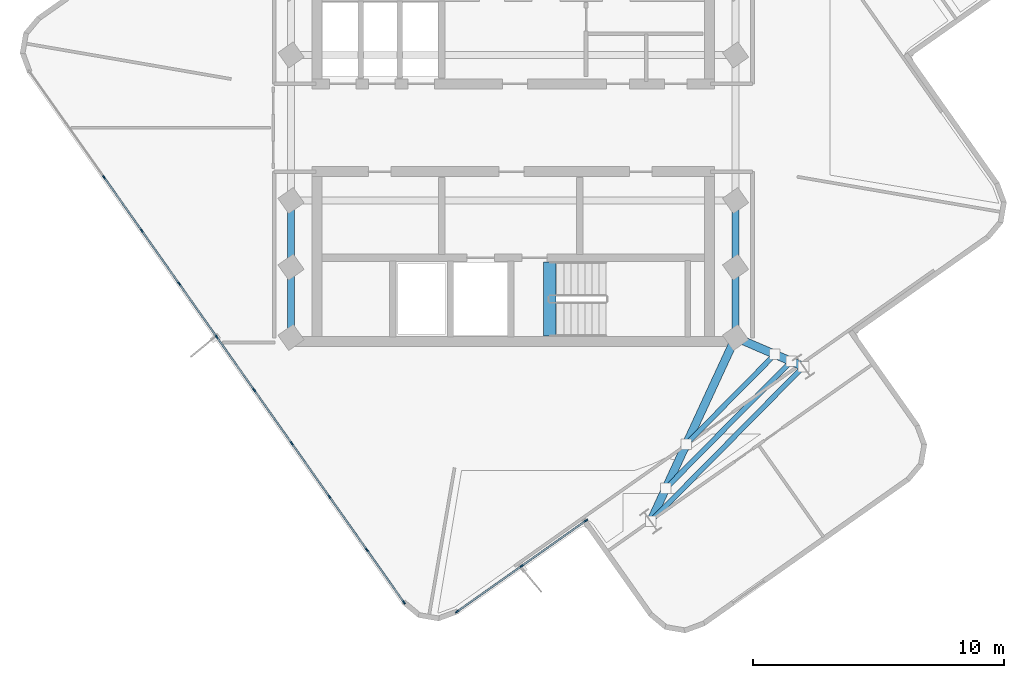
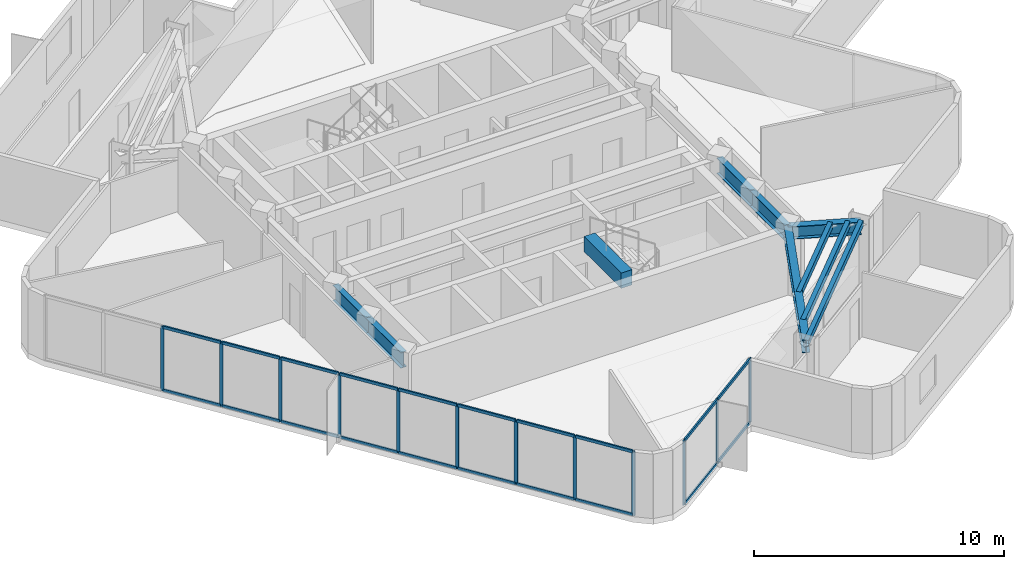
# One storey, part 2 of 9: 32 members, 10 beams, 2 elements without a shape of their own.
"""IFC4 building model written with IfcOpenShell, lengths in metres."""

import ifcopenshell
import ifcopenshell.guid

model = None  # the IFC model being written
_history = None  # IfcOwnerHistory: only IFC2X3 demands one
_inside = {}  # id of a spatial element -> (the spatial element, [elements in it])
_under = {}  # id of a project, library or spatial element -> (it, [spatial elements below it])
_declared = {}  # id of a project -> (the project, [libraries it declares])
_typed = {}  # id of a type object -> (the type object, [elements of that type])
_made_of = {}  # id of a material, layer set ... -> (it, [elements and type objects made of it])


def new_model(schema):
    """Start an empty IFC model of exactly this schema.

    Asked for "IFC4X3", IfcOpenShell would pick the latest addendum, in which some entities
    have other attributes; the version numbers below select the first issue.
    IFC2X3 requires an IfcOwnerHistory on every rooted entity: one is made here for all.
    """
    global model, _history
    if schema == "IFC4X3":
        model = ifcopenshell.file(schema_version=(4, 3, 0, 0))
    else:
        model = ifcopenshell.file(schema=schema)
    _inside.clear()
    _under.clear()
    _declared.clear()
    _typed.clear()
    _made_of.clear()
    _history = None
    if model.schema == "IFC2X3":
        org = make("IfcOrganization", Name="unknown")
        user = make(
            "IfcPersonAndOrganization",
            ThePerson=make("IfcPerson", FamilyName="unknown"),
            TheOrganization=org,
        )
        app = make(
            "IfcApplication",
            ApplicationDeveloper=org,
            Version="unknown",
            ApplicationFullName="unknown",
            ApplicationIdentifier="unknown",
        )
        _history = make(
            "IfcOwnerHistory",
            OwningUser=user,
            OwningApplication=app,
            ChangeAction="ADDED",
            CreationDate=0,
        )
    return model


def make(cls, **values):
    """One entity of the class cls with the attributes given. An attribute that is None is left unset."""
    return model.create_entity(
        cls, **{name: value for name, value in values.items() if value is not None}
    )


def rooted(cls, **values):
    """An entity with a GlobalId (a new one), such as an element, a storey or a relation."""
    return make(cls, GlobalId=ifcopenshell.guid.new(), OwnerHistory=_history, **values)


def si_unit(unit_type, name, prefix=None):
    """IfcSIUnit, for example si_unit("LENGTHUNIT", "METRE", prefix="MILLI")."""
    return make("IfcSIUnit", UnitType=unit_type, Prefix=prefix, Name=name)


def assignment(units):
    """IfcUnitAssignment: the units of a project."""
    return None if units is None else make("IfcUnitAssignment", Units=units)


def point(xyz):
    """IfcCartesianPoint."""
    return None if xyz is None else make("IfcCartesianPoint", Coordinates=xyz)


def direction(xyz):
    """IfcDirection."""
    return None if xyz is None else make("IfcDirection", DirectionRatios=xyz)


def frame(location, z_axis=None, x_axis=None):
    """IfcAxis2Placement3D, a coordinate frame: its origin and axes. An axis left out is left unset."""
    return make(
        "IfcAxis2Placement3D",
        Location=point(location),
        Axis=direction(z_axis),
        RefDirection=direction(x_axis),
    )


def frame_2d(location, x_axis=None):
    """IfcAxis2Placement2D, a coordinate frame in the plane: its origin and x axis."""
    return make(
        "IfcAxis2Placement2D", Location=point(location), RefDirection=direction(x_axis)
    )


def origin():
    """The frame at (0, 0, 0) with its axes left unset."""
    return frame((0.0, 0.0, 0.0))


def origin_2d():
    """The frame at (0, 0) in the plane with its x axis left unset."""
    return frame_2d((0.0, 0.0))


def place(relative_to, where):
    """IfcLocalPlacement: puts the frame where relative to a parent placement (None: the world)."""
    return make(
        "IfcLocalPlacement", PlacementRelTo=relative_to, RelativePlacement=where
    )


def context(
    kind, dimensions, precision=None, world=None, true_north=None, identifier=None
):
    """IfcGeometricRepresentationContext, for example the 3D "Model" context."""
    return make(
        "IfcGeometricRepresentationContext",
        ContextIdentifier=identifier,
        ContextType=kind,
        CoordinateSpaceDimension=dimensions,
        Precision=precision,
        WorldCoordinateSystem=world,
        TrueNorth=true_north,
    )


def subcontext(parent, identifier, kind, view, scale=None):
    """IfcGeometricRepresentationSubContext, for example "Body" below "Model"."""
    return make(
        "IfcGeometricRepresentationSubContext",
        ContextIdentifier=identifier,
        ContextType=kind,
        ParentContext=parent,
        TargetScale=scale,
        TargetView=view,
    )


def project(units=None, contexts=None):
    """IfcProject with its units and contexts."""
    return rooted(
        "IfcProject",
        Name="project",
        RepresentationContexts=contexts,
        UnitsInContext=assignment(units),
    )


def spatial(cls, under=None, at=None, **own):
    """A site, building, storey or space (cls), placed at a placement, below another one or the project."""
    s = rooted(cls, ObjectPlacement=at, **own)
    if under is not None:
        _under.setdefault(under.id(), (under, []))[1].append(s)
    return s


def profile(cls, at=None, kind="AREA", **sizes):
    """A parametric profile (cls). Its sizes go by their IFC names, for example OverallWidth=200.0."""
    return make(cls, ProfileType=kind, Position=at, **sizes)


def rectangle(**sizes):
    """IfcRectangleProfileDef."""
    return profile("IfcRectangleProfileDef", **sizes)


def hollow_rectangle(**sizes):
    """IfcRectangleHollowProfileDef."""
    return profile("IfcRectangleHollowProfileDef", **sizes)


def i_section(**sizes):
    """IfcIShapeProfileDef."""
    return profile("IfcIShapeProfileDef", **sizes)


def extrude(swept, where, along, depth):
    """IfcExtrudedAreaSolid: the profile swept, set in the frame where, extruded along a direction by depth."""
    return make(
        "IfcExtrudedAreaSolid",
        SweptArea=swept,
        Position=where,
        ExtrudedDirection=direction(along),
        Depth=depth,
    )


def shape(context_of_items, identifier, shape_type, items):
    """IfcShapeRepresentation: the items that make up one representation, for example the "Body"."""
    return make(
        "IfcShapeRepresentation",
        ContextOfItems=context_of_items,
        RepresentationIdentifier=identifier,
        RepresentationType=shape_type,
        Items=items,
    )


def material(Name=None, Category=None):
    """IfcMaterial."""
    return make("IfcMaterial", Name=Name, Category=Category)


def layer(
    of_material, thickness, ventilated=None, Name=None, Category=None, Priority=None
):
    """IfcMaterialLayer: one layer of a wall or slab, of a material (None: an air gap)."""
    return make(
        "IfcMaterialLayer",
        Material=of_material,
        LayerThickness=thickness,
        IsVentilated=ventilated,
        Name=Name,
        Category=Category,
        Priority=Priority,
    )


def layer_set(layers, Name=None):
    """IfcMaterialLayerSet."""
    return make("IfcMaterialLayerSet", MaterialLayers=layers, LayerSetName=Name)


def material_profile(
    of_material, cross_section, Name=None, Category=None, Priority=None
):
    """IfcMaterialProfile: a cross section and its material."""
    return make(
        "IfcMaterialProfile",
        Name=Name,
        Material=of_material,
        Profile=cross_section,
        Priority=Priority,
        Category=Category,
    )


def profile_set(profiles, Name=None, composite=None):
    """IfcMaterialProfileSet."""
    return make(
        "IfcMaterialProfileSet",
        Name=Name,
        MaterialProfiles=profiles,
        CompositeProfile=composite,
    )


def made_of(thing, what):
    """Note that an element or type object is made of a material, layer set ...; save() writes the relation."""
    if what is not None:
        _made_of.setdefault(what.id(), (what, []))[1].append(thing)
    return thing


def type_object(cls, material=None, **own):
    """A type object (cls), such as IfcWallType, which elements share."""
    return made_of(rooted(cls, **own), material)


def element(
    cls,
    number,
    at=None,
    inside=None,
    cuts=None,
    type_object=None,
    material=None,
    context=None,
    identifier="Body",
    shape_type=None,
    held_by="IfcProductDefinitionShape",
    body=None,
    shapes=None,
    **own,
):
    """One element of the class cls, such as IfcWall. Its Tag is "e" and its number.

    at: its placement. inside: the storey or other place that contains it. cuts: it is an
    opening in that element (IfcRelVoidsElement). A single representation is given by context,
    identifier, shape_type and body (its items); several are given by shapes. held_by: the class
    of the entity that holds the representations. save() writes the other relations.
    """
    e = rooted(cls, Tag="e%d" % number, ObjectPlacement=at, **own)
    if body is not None:
        shapes = [shape(context, identifier, shape_type, body)]
    if shapes is not None:
        e.Representation = make(held_by, Representations=shapes)
    if inside is not None:
        _inside.setdefault(inside.id(), (inside, []))[1].append(e)
    if cuts is not None:
        rooted(
            "IfcRelVoidsElement", RelatingBuildingElement=cuts, RelatedOpeningElement=e
        )
    if type_object is not None:
        _typed.setdefault(type_object.id(), (type_object, []))[1].append(e)
    return made_of(e, material)


def aggregate(whole, parts):
    """IfcRelAggregates: a whole, such as a stair, and the parts it consists of."""
    return rooted("IfcRelAggregates", RelatingObject=whole, RelatedObjects=parts)


def save(model, path):
    """Write the relations noted so far, then the file.

    IfcRelAggregates (storeys below a building ...), IfcRelContainedInSpatialStructure (elements
    in a storey), IfcRelDefinesByType, IfcRelAssociatesMaterial and IfcRelDeclares: one each for
    every whole, place, type object, material and project.
    """
    for whole, parts in _under.values():
        aggregate(whole, parts)
    for where, things in _inside.values():
        rooted(
            "IfcRelContainedInSpatialStructure",
            RelatedElements=things,
            RelatingStructure=where,
        )
    for kind, things in _typed.values():
        rooted("IfcRelDefinesByType", RelatedObjects=things, RelatingType=kind)
    for what, things in _made_of.values():
        rooted("IfcRelAssociatesMaterial", RelatedObjects=things, RelatingMaterial=what)
    for by, libraries in _declared.values():
        rooted("IfcRelDeclares", RelatingContext=by, RelatedDefinitions=libraries)
    model.write(path)


model = new_model("IFC4")

# Units and contexts
model_context = context("Model", 3, precision=1e-05, world=origin(), true_north=direction((0.0, 1.0)))
body_context = subcontext(model_context, "Body", "Model", "MODEL_VIEW")
ifc_project = project(units=[si_unit("LENGTHUNIT", "METRE"), si_unit("AREAUNIT", "SQUARE_METRE"), si_unit("VOLUMEUNIT", "CUBIC_METRE"), si_unit("PLANEANGLEUNIT", "RADIAN"), si_unit("MASSUNIT", "GRAM", prefix="KILO")], contexts=[model_context])

# Site, building, storey
site_placement = place(None, origin())
site = spatial("IfcSite", under=ifc_project, at=site_placement, CompositionType="ELEMENT")
building_placement = place(site_placement, origin())
building = spatial("IfcBuilding", under=site, at=building_placement, Name="Solmarez Civic Tower", CompositionType="ELEMENT")
storey_placement = place(building_placement, frame((0.0, 0.0, 222.300048828125)))
storey = spatial("IfcBuildingStorey", under=building, at=storey_placement, Name="L59", CompositionType="ELEMENT", Elevation=222.300048828125)

# Beams
ifc_material_1 = material(Name="Steel S355", Category="steel")
ifc_material_profile_1 = material_profile(ifc_material_1, hollow_rectangle(XDim=0.199951171875, YDim=0.300048828125, WallThickness=0.011962890625, at=origin_2d()), Name="HSS300X200X12")
ifc_profile_set_1 = profile_set([ifc_material_profile_1], Name="Steel S355")
beam_type_1 = type_object("IfcBeamType", Name="BM-JS-HSS300X200", PredefinedType="JOIST", material=ifc_profile_set_1)
beam_1_placement = place(storey_placement, frame((5.468017578125, -15.6708984375, 2.989990234375), z_axis=(0.702766092364, 0.711420986072, 0.0), x_axis=(-0.711420986072, 0.702766092364, 0.0)))
element("IfcBeam", 1, at=beam_1_placement, inside=storey, type_object=beam_type_1, Name="L59 Secondary Floor Joist BM-L59-SA-T1", PredefinedType="JOIST", context=body_context, shape_type="SweptSolid", body=[
    extrude(hollow_rectangle(XDim=0.199951171875, YDim=0.300048828125, WallThickness=0.011962890625, at=origin_2d()), origin(), (0.0, 0.0, 1.0), 8.659912109375),
])
beam_2_placement = place(storey_placement, frame((6.887939453125, -12.595947265625, 2.989990234375), z_axis=(0.702816380081, 0.711371306625, 0.0), x_axis=(-0.711371306625, 0.702816380081, 0.0)))
element("IfcBeam", 2, at=beam_2_placement, inside=storey, type_object=beam_type_1, Name="L59 Secondary Floor Joist JS-L59-SA-M11", PredefinedType="JOIST", context=body_context, shape_type="SweptSolid", body=[
    extrude(hollow_rectangle(XDim=0.199951171875, YDim=0.300048828125, WallThickness=0.011962890625, at=origin_2d()), origin(), (0.0, 0.0, 1.0), 5.022705078125),
])
beam_3_placement = place(storey_placement, frame((6.076904296875, -14.35302734375, 2.989990234375), z_axis=(0.702726827997, 0.711459770622, 0.0), x_axis=(-0.711459770622, 0.702726827997, 0.0)))
element("IfcBeam", 3, at=beam_3_placement, inside=storey, type_object=beam_type_1, Name="L59 Secondary Floor Joist JS-L59-SA-M12", PredefinedType="JOIST", context=body_context, shape_type="SweptSolid", body=[
    extrude(hollow_rectangle(XDim=0.199951171875, YDim=0.300048828125, WallThickness=0.011962890625, at=origin_2d()), origin(), (0.0, 0.0, 1.0), 7.100830078125),
])
ifc_material_2 = material(Name="Concrete C50/60", Category="concrete")
ifc_material_profile_2 = material_profile(ifc_material_2, rectangle(XDim=0.5, YDim=0.75, at=origin_2d()), Name="RC500X750")
ifc_profile_set_2 = profile_set([ifc_material_profile_2], Name="Concrete C50/60")
beam_type_2 = type_object("IfcBeamType", Name="BM-PR-RC500X750", PredefinedType="BEAM", material=ifc_profile_set_2)
beam_4_placement = place(storey_placement, frame((1.449951171875, -8.300048828125, 3.052978515625), z_axis=(0.0, 1.0, 0.0), x_axis=(-1.0, 0.0, 0.0)))
element("IfcBeam", 4, at=beam_4_placement, inside=storey, type_object=beam_type_2, Name="L59 South Stair Threshold Beam", PredefinedType="BEAM", context=body_context, shape_type="SweptSolid", body=[
    extrude(rectangle(XDim=0.5, YDim=0.75, at=origin_2d()), origin(), (0.0, 0.0, 1.0), 2.9599609375),
])
ifc_material_profile_3 = material_profile(ifc_material_1, i_section(OverallWidth=0.327880859375, OverallDepth=0.6220703125, WebThickness=0.015380859375, FlangeThickness=0.0244140625, at=origin_2d()), Name="W24X131")
ifc_profile_set_3 = profile_set([ifc_material_profile_3], Name="Steel S355")
beam_type_3 = type_object("IfcBeamType", Name="BM-PR-W24X131", PredefinedType="BEAM", material=ifc_profile_set_3)
beam_5_placement = place(storey_placement, frame((8.85009765625, -8.35009765625, 2.828857421875), z_axis=(-0.419390280967, -0.907806032273, 0.0), x_axis=(0.907806032273, -0.419390280967, 0.0)))
element("IfcBeam", 5, at=beam_5_placement, inside=storey, type_object=beam_type_3, Name="L59 Primary Floor Beam BM-L59-SA-R1A", PredefinedType="BEAM", context=body_context, shape_type="SweptSolid", body=[
    extrude(i_section(OverallWidth=0.327880859375, OverallDepth=0.6220703125, WebThickness=0.015380859375, FlangeThickness=0.0244140625, at=origin_2d()), origin(), (0.0, 0.0, 1.0), 8.064208984375),
])
beam_6_placement = place(storey_placement, frame((8.85009765625, -8.35009765625, 2.828857421875), z_axis=(0.919007627325, -0.394239750557, 0.0), x_axis=(0.394239750557, 0.919007627325, 0.0)))
element("IfcBeam", 6, at=beam_6_placement, inside=storey, type_object=beam_type_3, Name="L59 Primary Floor Beam BM-L59-SA-R1B", PredefinedType="BEAM", context=body_context, shape_type="SweptSolid", body=[
    extrude(i_section(OverallWidth=0.327880859375, OverallDepth=0.6220703125, WebThickness=0.015380859375, FlangeThickness=0.0244140625, at=origin_2d()), origin(), (0.0, 0.0, 1.0), 2.942138671875),
])
ifc_material_profile_4 = material_profile(ifc_material_1, i_section(OverallWidth=0.26708984375, OverallDepth=0.761962890625, WebThickness=0.014404296875, FlangeThickness=0.021484375, at=origin_2d()), Name="W30X116")
ifc_profile_set_4 = profile_set([ifc_material_profile_4], Name="Steel S355")
beam_type_4 = type_object("IfcBeamType", Name="BM-PR-W30X116", PredefinedType="BEAM", material=ifc_profile_set_4)
beam_7_placement = place(storey_placement, frame((-8.85009765625, -8.35009765625, 2.759033203125), z_axis=(0.0, 1.0, 0.0), x_axis=(-1.0, 0.0, 0.0)))
element("IfcBeam", 7, at=beam_7_placement, inside=storey, type_object=beam_type_4, Name="L59 Primary Floor Beam BM-L59-HC12-HC1", PredefinedType="BEAM", context=body_context, shape_type="SweptSolid", body=[
    extrude(i_section(OverallWidth=0.26708984375, OverallDepth=0.761962890625, WebThickness=0.014404296875, FlangeThickness=0.021484375, at=origin_2d()), origin(), (0.0, 0.0, 1.0), 2.800048828125),
])
beam_8_placement = place(storey_placement, frame((-8.85009765625, -5.550048828125, 2.759033203125), z_axis=(0.0, 1.0, 0.0), x_axis=(-1.0, 0.0, 0.0)))
element("IfcBeam", 8, at=beam_8_placement, inside=storey, type_object=beam_type_4, Name="L59 Primary Floor Beam BM-L59-HC1-HC2", PredefinedType="BEAM", context=body_context, shape_type="SweptSolid", body=[
    extrude(i_section(OverallWidth=0.26708984375, OverallDepth=0.761962890625, WebThickness=0.014404296875, FlangeThickness=0.021484375, at=origin_2d()), origin(), (0.0, 0.0, 1.0), 2.650146484375),
])
beam_9_placement = place(storey_placement, frame((8.85009765625, -8.35009765625, 2.759033203125), z_axis=(0.0, 1.0, 0.0), x_axis=(-1.0, 0.0, 0.0)))
element("IfcBeam", 9, at=beam_9_placement, inside=storey, type_object=beam_type_4, Name="L59 Primary Floor Beam BM-L59-HC10-HC5", PredefinedType="BEAM", context=body_context, shape_type="SweptSolid", body=[
    extrude(i_section(OverallWidth=0.26708984375, OverallDepth=0.761962890625, WebThickness=0.014404296875, FlangeThickness=0.021484375, at=origin_2d()), origin(), (0.0, 0.0, 1.0), 2.800048828125),
])
beam_10_placement = place(storey_placement, frame((8.85009765625, -5.550048828125, 2.759033203125), z_axis=(0.0, 1.0, 0.0), x_axis=(-1.0, 0.0, 0.0)))
element("IfcBeam", 10, at=beam_10_placement, inside=storey, type_object=beam_type_4, Name="L59 Primary Floor Beam BM-L59-HC5-HC6", PredefinedType="BEAM", context=body_context, shape_type="SweptSolid", body=[
    extrude(i_section(OverallWidth=0.26708984375, OverallDepth=0.761962890625, WebThickness=0.014404296875, FlangeThickness=0.021484375, at=origin_2d()), origin(), (0.0, 0.0, 1.0), 2.650146484375),
])

# Curtain wall, members
ifc_material_3 = material(Name="Bronze Anodised Aluminium EN AW-6063 T6", Category="aluminium")
ifc_layer = layer(ifc_material_3, 0.1650390625)
ifc_layer_set = layer_set([ifc_layer], Name="Bronze Anodised Aluminium EN AW-6063 T6")
curtain_wall_type = type_object("IfcCurtainWallType", Name="CW-SYS-4", PredefinedType="NOTDEFINED", material=ifc_layer_set)
curtain_wall_1_placement = place(storey_placement, origin())
curtain_wall_1 = element("IfcCurtainWall", 11, at=curtain_wall_1_placement, inside=storey, type_object=curtain_wall_type, Name="L59 Stick-Built Curtain Wall 1", PredefinedType="NOTDEFINED")
ifc_material_profile_5 = material_profile(ifc_material_3, rectangle(XDim=0.06005859375, YDim=0.14990234375, at=origin_2d()), Name="CWM-60X150")
ifc_profile_set_5 = profile_set([ifc_material_profile_5], Name="Bronze Anodised Aluminium EN AW-6063 T6")
member_type_1 = type_object("IfcMemberType", Name="CWM-TYPE-4", PredefinedType="MULLION", material=ifc_profile_set_5)
member_1_placement = place(storey_placement, frame((2.89453125, -15.640380859375, 0.0), z_axis=(0.0, 0.0, 1.0), x_axis=(0.57655936012, -0.817055263895, 0.0)))
member_1 = element("IfcMember", 12, at=member_1_placement, type_object=member_type_1, Name="CWS4 mullion 1", PredefinedType="MULLION", context=body_context, shape_type="SweptSolid", body=[
    extrude(rectangle(XDim=0.06005859375, YDim=0.14990234375, at=origin_2d()), origin(), (0.0, 0.0, 1.0), 3.139892578125),
])
member_2_placement = place(storey_placement, frame((0.32861328125, -17.450927734375, 0.0), z_axis=(0.0, 0.0, 1.0), x_axis=(0.57655936012, -0.817055263895, 0.0)))
member_2 = element("IfcMember", 13, at=member_2_placement, type_object=member_type_1, Name="CWS4 mullion 2", PredefinedType="MULLION", context=body_context, shape_type="SweptSolid", body=[
    extrude(rectangle(XDim=0.06005859375, YDim=0.14990234375, at=origin_2d()), origin(), (0.0, 0.0, 1.0), 3.139892578125),
])
member_3_placement = place(storey_placement, frame((-2.237548828125, -19.26171875, 0.0), z_axis=(0.0, 0.0, 1.0), x_axis=(0.57655936012, -0.817055263895, 0.0)))
member_3 = element("IfcMember", 14, at=member_3_placement, type_object=member_type_1, Name="CWS4 mullion 3", PredefinedType="MULLION", context=body_context, shape_type="SweptSolid", body=[
    extrude(rectangle(XDim=0.06005859375, YDim=0.14990234375, at=origin_2d()), origin(), (0.0, 0.0, 1.0), 3.139892578125),
])

curtain_wall_2_placement = place(storey_placement, origin())
curtain_wall_2 = element("IfcCurtainWall", 15, at=curtain_wall_2_placement, inside=storey, type_object=curtain_wall_type, Name="L59 Stick-Built Curtain Wall 2", PredefinedType="NOTDEFINED")
member_4_placement = place(storey_placement, frame((-4.354248046875, -18.896484375, 0.0), z_axis=(0.0, 0.0, 1.0), x_axis=(-0.817162391141, -0.576407517737, 0.0)))
member_4 = element("IfcMember", 16, at=member_4_placement, type_object=member_type_1, Name="CWS4 mullion 1", PredefinedType="MULLION", context=body_context, shape_type="SweptSolid", body=[
    extrude(rectangle(XDim=0.06005859375, YDim=0.14990234375, at=origin_2d()), origin(), (0.0, 0.0, 1.0), 3.139892578125),
])
member_5_placement = place(storey_placement, frame((-5.831298828125, -16.802734375, 0.0), z_axis=(0.0, 0.0, 1.0), x_axis=(-0.817162391141, -0.576407517737, 0.0)))
member_5 = element("IfcMember", 17, at=member_5_placement, type_object=member_type_1, Name="CWS4 mullion 2", PredefinedType="MULLION", context=body_context, shape_type="SweptSolid", body=[
    extrude(rectangle(XDim=0.06005859375, YDim=0.14990234375, at=origin_2d()), origin(), (0.0, 0.0, 1.0), 3.139892578125),
])
member_6_placement = place(storey_placement, frame((-7.325439453125, -14.684326171875, 0.0), z_axis=(0.0, 0.0, 1.0), x_axis=(-0.817162391141, -0.576407517737, 0.0)))
member_6 = element("IfcMember", 18, at=member_6_placement, type_object=member_type_1, Name="CWS4 mullion 3", PredefinedType="MULLION", context=body_context, shape_type="SweptSolid", body=[
    extrude(rectangle(XDim=0.06005859375, YDim=0.14990234375, at=origin_2d()), origin(), (0.0, 0.0, 1.0), 3.139892578125),
])
member_7_placement = place(storey_placement, frame((-8.819580078125, -12.566162109375, 0.0), z_axis=(0.0, 0.0, 1.0), x_axis=(-0.817162391141, -0.576407517737, 0.0)))
member_7 = element("IfcMember", 19, at=member_7_placement, type_object=member_type_1, Name="CWS4 mullion 4", PredefinedType="MULLION", context=body_context, shape_type="SweptSolid", body=[
    extrude(rectangle(XDim=0.06005859375, YDim=0.14990234375, at=origin_2d()), origin(), (0.0, 0.0, 1.0), 3.139892578125),
])
member_8_placement = place(storey_placement, frame((-10.313720703125, -10.44775390625, 0.0), z_axis=(0.0, 0.0, 1.0), x_axis=(-0.817162391141, -0.576407517737, 0.0)))
member_8 = element("IfcMember", 20, at=member_8_placement, type_object=member_type_1, Name="CWS4 mullion 5", PredefinedType="MULLION", context=body_context, shape_type="SweptSolid", body=[
    extrude(rectangle(XDim=0.06005859375, YDim=0.14990234375, at=origin_2d()), origin(), (0.0, 0.0, 1.0), 3.139892578125),
])
member_9_placement = place(storey_placement, frame((-11.80810546875, -8.32958984375, 0.0), z_axis=(0.0, 0.0, 1.0), x_axis=(-0.817162391141, -0.576407517737, 0.0)))
member_9 = element("IfcMember", 21, at=member_9_placement, type_object=member_type_1, Name="CWS4 mullion 6", PredefinedType="MULLION", context=body_context, shape_type="SweptSolid", body=[
    extrude(rectangle(XDim=0.06005859375, YDim=0.14990234375, at=origin_2d()), origin(), (0.0, 0.0, 1.0), 3.139892578125),
])
member_10_placement = place(storey_placement, frame((-13.30224609375, -6.211181640625, 0.0), z_axis=(0.0, 0.0, 1.0), x_axis=(-0.817162391141, -0.576407517737, 0.0)))
member_10 = element("IfcMember", 22, at=member_10_placement, type_object=member_type_1, Name="CWS4 mullion 7", PredefinedType="MULLION", context=body_context, shape_type="SweptSolid", body=[
    extrude(rectangle(XDim=0.06005859375, YDim=0.14990234375, at=origin_2d()), origin(), (0.0, 0.0, 1.0), 3.139892578125),
])
member_11_placement = place(storey_placement, frame((-14.79638671875, -4.093017578125, 0.0), z_axis=(0.0, 0.0, 1.0), x_axis=(-0.817162391141, -0.576407517737, 0.0)))
member_11 = element("IfcMember", 23, at=member_11_placement, type_object=member_type_1, Name="CWS4 mullion 8", PredefinedType="MULLION", context=body_context, shape_type="SweptSolid", body=[
    extrude(rectangle(XDim=0.06005859375, YDim=0.14990234375, at=origin_2d()), origin(), (0.0, 0.0, 1.0), 3.139892578125),
])
member_12_placement = place(storey_placement, frame((-16.29052734375, -1.974609375, 0.0), z_axis=(0.0, 0.0, 1.0), x_axis=(-0.817162391141, -0.576407517737, 0.0)))
member_12 = element("IfcMember", 24, at=member_12_placement, type_object=member_type_1, Name="CWS4 mullion 9", PredefinedType="MULLION", context=body_context, shape_type="SweptSolid", body=[
    extrude(rectangle(XDim=0.06005859375, YDim=0.14990234375, at=origin_2d()), origin(), (0.0, 0.0, 1.0), 3.139892578125),
])

# Member
ifc_material_profile_6 = material_profile(ifc_material_3, rectangle(XDim=0.070068359375, YDim=0.139892578125, at=origin_2d()), Name="CWT-70X140")
ifc_profile_set_6 = profile_set([ifc_material_profile_6], Name="Bronze Anodised Aluminium EN AW-6063 T6")
member_type_2 = type_object("IfcMemberType", Name="CWT-TYPE-1", PredefinedType="USERDEFINED", material=ifc_profile_set_6)
member_13_placement = place(storey_placement, frame((2.869873046875, -15.65771484375, 0.034912109375), z_axis=(-0.817077675712, -0.576527598518, 0.0), x_axis=(0.576527598518, -0.817077675712, 0.0)))
member_13 = element("IfcMember", 25, at=member_13_placement, type_object=member_type_2, Name="CWS4 transom 1.1", ObjectType="TRANSOM", PredefinedType="USERDEFINED", context=body_context, shape_type="SweptSolid", body=[
    extrude(rectangle(XDim=0.070068359375, YDim=0.139892578125, at=origin_2d()), origin(), (0.0, 0.0, 1.0), 3.080322265625),
])

member_14_placement = place(storey_placement, frame((2.869873046875, -15.65771484375, 3.10498046875), z_axis=(-0.817077675712, -0.576527598518, 0.0), x_axis=(0.576527598518, -0.817077675712, 0.0)))
member_14 = element("IfcMember", 26, at=member_14_placement, type_object=member_type_2, Name="CWS4 transom 1.2", ObjectType="TRANSOM", PredefinedType="USERDEFINED", context=body_context, shape_type="SweptSolid", body=[
    extrude(rectangle(XDim=0.070068359375, YDim=0.139892578125, at=origin_2d()), origin(), (0.0, 0.0, 1.0), 3.080322265625),
])

member_15_placement = place(storey_placement, frame((0.303955078125, -17.46826171875, 0.034912109375), z_axis=(-0.817040339493, -0.576580509245, 0.0), x_axis=(0.576580509245, -0.817040339493, 0.0)))
member_15 = element("IfcMember", 27, at=member_15_placement, type_object=member_type_2, Name="CWS4 transom 2.1", ObjectType="TRANSOM", PredefinedType="USERDEFINED", context=body_context, shape_type="SweptSolid", body=[
    extrude(rectangle(XDim=0.070068359375, YDim=0.139892578125, at=origin_2d()), origin(), (0.0, 0.0, 1.0), 3.080322265625),
])

member_16_placement = place(storey_placement, frame((0.303955078125, -17.46826171875, 3.10498046875), z_axis=(-0.817040339493, -0.576580509245, 0.0), x_axis=(0.576580509245, -0.817040339493, 0.0)))
member_16 = element("IfcMember", 28, at=member_16_placement, type_object=member_type_2, Name="CWS4 transom 2.2", ObjectType="TRANSOM", PredefinedType="USERDEFINED", context=body_context, shape_type="SweptSolid", body=[
    extrude(rectangle(XDim=0.070068359375, YDim=0.139892578125, at=origin_2d()), origin(), (0.0, 0.0, 1.0), 3.080322265625),
])

aggregate(curtain_wall_1, [member_1, member_2, member_3, member_13, member_14, member_15, member_16])

member_17_placement = place(storey_placement, frame((-4.37158203125, -18.8720703125, 0.034912109375), z_axis=(-0.576392054346, 0.817173298442, 0.0), x_axis=(-0.817173298442, -0.576392054346, 0.0)))
member_17 = element("IfcMember", 29, at=member_17_placement, type_object=member_type_2, Name="CWS4 transom 1.1", ObjectType="TRANSOM", PredefinedType="USERDEFINED", context=body_context, shape_type="SweptSolid", body=[
    extrude(rectangle(XDim=0.070068359375, YDim=0.139892578125, at=origin_2d()), origin(), (0.0, 0.0, 1.0), 2.50244140625),
])

member_18_placement = place(storey_placement, frame((-4.37158203125, -18.8720703125, 3.10498046875), z_axis=(-0.576392054346, 0.817173298442, 0.0), x_axis=(-0.817173298442, -0.576392054346, 0.0)))
member_18 = element("IfcMember", 30, at=member_18_placement, type_object=member_type_2, Name="CWS4 transom 1.2", ObjectType="TRANSOM", PredefinedType="USERDEFINED", context=body_context, shape_type="SweptSolid", body=[
    extrude(rectangle(XDim=0.070068359375, YDim=0.139892578125, at=origin_2d()), origin(), (0.0, 0.0, 1.0), 2.50244140625),
])

member_19_placement = place(storey_placement, frame((-5.848388671875, -16.778076171875, 0.034912109375), z_axis=(-0.576467411944, 0.817120139861, 0.0), x_axis=(-0.817120139861, -0.576467411944, 0.0)))
member_19 = element("IfcMember", 31, at=member_19_placement, type_object=member_type_2, Name="CWS4 transom 2.1", ObjectType="TRANSOM", PredefinedType="USERDEFINED", context=body_context, shape_type="SweptSolid", body=[
    extrude(rectangle(XDim=0.070068359375, YDim=0.139892578125, at=origin_2d()), origin(), (0.0, 0.0, 1.0), 2.5322265625),
])

member_20_placement = place(storey_placement, frame((-5.848388671875, -16.778076171875, 3.10498046875), z_axis=(-0.576467411944, 0.817120139861, 0.0), x_axis=(-0.817120139861, -0.576467411944, 0.0)))
member_20 = element("IfcMember", 32, at=member_20_placement, type_object=member_type_2, Name="CWS4 transom 2.2", ObjectType="TRANSOM", PredefinedType="USERDEFINED", context=body_context, shape_type="SweptSolid", body=[
    extrude(rectangle(XDim=0.070068359375, YDim=0.139892578125, at=origin_2d()), origin(), (0.0, 0.0, 1.0), 2.5322265625),
])

member_21_placement = place(storey_placement, frame((-7.3427734375, -14.659912109375, 0.034912109375), z_axis=(-0.57635761838, 0.817197586716, 0.0), x_axis=(-0.817197586716, -0.57635761838, 0.0)))
member_21 = element("IfcMember", 33, at=member_21_placement, type_object=member_type_2, Name="CWS4 transom 3.1", ObjectType="TRANSOM", PredefinedType="USERDEFINED", context=body_context, shape_type="SweptSolid", body=[
    extrude(rectangle(XDim=0.070068359375, YDim=0.139892578125, at=origin_2d()), origin(), (0.0, 0.0, 1.0), 2.5322265625),
])

member_22_placement = place(storey_placement, frame((-7.3427734375, -14.659912109375, 3.10498046875), z_axis=(-0.57635761838, 0.817197586716, 0.0), x_axis=(-0.817197586716, -0.57635761838, 0.0)))
member_22 = element("IfcMember", 34, at=member_22_placement, type_object=member_type_2, Name="CWS4 transom 3.2", ObjectType="TRANSOM", PredefinedType="USERDEFINED", context=body_context, shape_type="SweptSolid", body=[
    extrude(rectangle(XDim=0.070068359375, YDim=0.139892578125, at=origin_2d()), origin(), (0.0, 0.0, 1.0), 2.5322265625),
])

member_23_placement = place(storey_placement, frame((-8.8369140625, -12.54150390625, 0.034912109375), z_axis=(-0.576403031459, 0.81716555564, 0.0), x_axis=(-0.81716555564, -0.576403031459, 0.0)))
member_23 = element("IfcMember", 35, at=member_23_placement, type_object=member_type_2, Name="CWS4 transom 4.1", ObjectType="TRANSOM", PredefinedType="USERDEFINED", context=body_context, shape_type="SweptSolid", body=[
    extrude(rectangle(XDim=0.070068359375, YDim=0.139892578125, at=origin_2d()), origin(), (0.0, 0.0, 1.0), 2.531982421875),
])

member_24_placement = place(storey_placement, frame((-8.8369140625, -12.54150390625, 3.10498046875), z_axis=(-0.576403031459, 0.81716555564, 0.0), x_axis=(-0.81716555564, -0.576403031459, 0.0)))
member_24 = element("IfcMember", 36, at=member_24_placement, type_object=member_type_2, Name="CWS4 transom 4.2", ObjectType="TRANSOM", PredefinedType="USERDEFINED", context=body_context, shape_type="SweptSolid", body=[
    extrude(rectangle(XDim=0.070068359375, YDim=0.139892578125, at=origin_2d()), origin(), (0.0, 0.0, 1.0), 2.531982421875),
])

member_25_placement = place(storey_placement, frame((-10.3310546875, -10.42333984375, 0.034912109375), z_axis=(-0.576421998841, 0.817152176313, 0.0), x_axis=(-0.817152176313, -0.576421998841, 0.0)))
member_25 = element("IfcMember", 37, at=member_25_placement, type_object=member_type_2, Name="CWS4 transom 5.1", ObjectType="TRANSOM", PredefinedType="USERDEFINED", context=body_context, shape_type="SweptSolid", body=[
    extrude(rectangle(XDim=0.070068359375, YDim=0.139892578125, at=origin_2d()), origin(), (0.0, 0.0, 1.0), 2.532470703125),
])

member_26_placement = place(storey_placement, frame((-10.3310546875, -10.42333984375, 3.10498046875), z_axis=(-0.576421998841, 0.817152176313, 0.0), x_axis=(-0.817152176313, -0.576421998841, 0.0)))
member_26 = element("IfcMember", 38, at=member_26_placement, type_object=member_type_2, Name="CWS4 transom 5.2", ObjectType="TRANSOM", PredefinedType="USERDEFINED", context=body_context, shape_type="SweptSolid", body=[
    extrude(rectangle(XDim=0.070068359375, YDim=0.139892578125, at=origin_2d()), origin(), (0.0, 0.0, 1.0), 2.532470703125),
])

member_27_placement = place(storey_placement, frame((-11.8251953125, -8.304931640625, 0.034912109375), z_axis=(-0.576421998841, 0.817152176313, 0.0), x_axis=(-0.817152176313, -0.576421998841, 0.0)))
member_27 = element("IfcMember", 39, at=member_27_placement, type_object=member_type_2, Name="CWS4 transom 6.1", ObjectType="TRANSOM", PredefinedType="USERDEFINED", context=body_context, shape_type="SweptSolid", body=[
    extrude(rectangle(XDim=0.070068359375, YDim=0.139892578125, at=origin_2d()), origin(), (0.0, 0.0, 1.0), 2.532470703125),
])

member_28_placement = place(storey_placement, frame((-11.8251953125, -8.304931640625, 3.10498046875), z_axis=(-0.576421998841, 0.817152176313, 0.0), x_axis=(-0.817152176313, -0.576421998841, 0.0)))
member_28 = element("IfcMember", 40, at=member_28_placement, type_object=member_type_2, Name="CWS4 transom 6.2", ObjectType="TRANSOM", PredefinedType="USERDEFINED", context=body_context, shape_type="SweptSolid", body=[
    extrude(rectangle(XDim=0.070068359375, YDim=0.139892578125, at=origin_2d()), origin(), (0.0, 0.0, 1.0), 2.532470703125),
])

member_29_placement = place(storey_placement, frame((-13.319580078125, -6.186767578125, 0.034912109375), z_axis=(-0.57635761838, 0.817197586716, 0.0), x_axis=(-0.817197586716, -0.57635761838, 0.0)))
member_29 = element("IfcMember", 41, at=member_29_placement, type_object=member_type_2, Name="CWS4 transom 7.1", ObjectType="TRANSOM", PredefinedType="USERDEFINED", context=body_context, shape_type="SweptSolid", body=[
    extrude(rectangle(XDim=0.070068359375, YDim=0.139892578125, at=origin_2d()), origin(), (0.0, 0.0, 1.0), 2.5322265625),
])

member_30_placement = place(storey_placement, frame((-13.319580078125, -6.186767578125, 3.10498046875), z_axis=(-0.57635761838, 0.817197586716, 0.0), x_axis=(-0.817197586716, -0.57635761838, 0.0)))
member_30 = element("IfcMember", 42, at=member_30_placement, type_object=member_type_2, Name="CWS4 transom 7.2", ObjectType="TRANSOM", PredefinedType="USERDEFINED", context=body_context, shape_type="SweptSolid", body=[
    extrude(rectangle(XDim=0.070068359375, YDim=0.139892578125, at=origin_2d()), origin(), (0.0, 0.0, 1.0), 2.5322265625),
])

member_31_placement = place(storey_placement, frame((-14.813720703125, -4.068359375, 0.034912109375), z_axis=(-0.57635761838, 0.817197586716, 0.0), x_axis=(-0.817197586716, -0.57635761838, 0.0)))
member_31 = element("IfcMember", 43, at=member_31_placement, type_object=member_type_2, Name="CWS4 transom 8.1", ObjectType="TRANSOM", PredefinedType="USERDEFINED", context=body_context, shape_type="SweptSolid", body=[
    extrude(rectangle(XDim=0.070068359375, YDim=0.139892578125, at=origin_2d()), origin(), (0.0, 0.0, 1.0), 2.5322265625),
])

member_32_placement = place(storey_placement, frame((-14.813720703125, -4.068359375, 3.10498046875), z_axis=(-0.57635761838, 0.817197586716, 0.0), x_axis=(-0.817197586716, -0.57635761838, 0.0)))
member_32 = element("IfcMember", 44, at=member_32_placement, type_object=member_type_2, Name="CWS4 transom 8.2", ObjectType="TRANSOM", PredefinedType="USERDEFINED", context=body_context, shape_type="SweptSolid", body=[
    extrude(rectangle(XDim=0.070068359375, YDim=0.139892578125, at=origin_2d()), origin(), (0.0, 0.0, 1.0), 2.5322265625),
])

aggregate(curtain_wall_2, [member_4, member_5, member_6, member_7, member_8, member_9, member_10, member_11, member_12, member_17, member_18, member_19, member_20, member_21, member_22, member_23, member_24, member_25, member_26, member_27, member_28, member_29, member_30, member_31, member_32])

save(model, "model.ifc")
